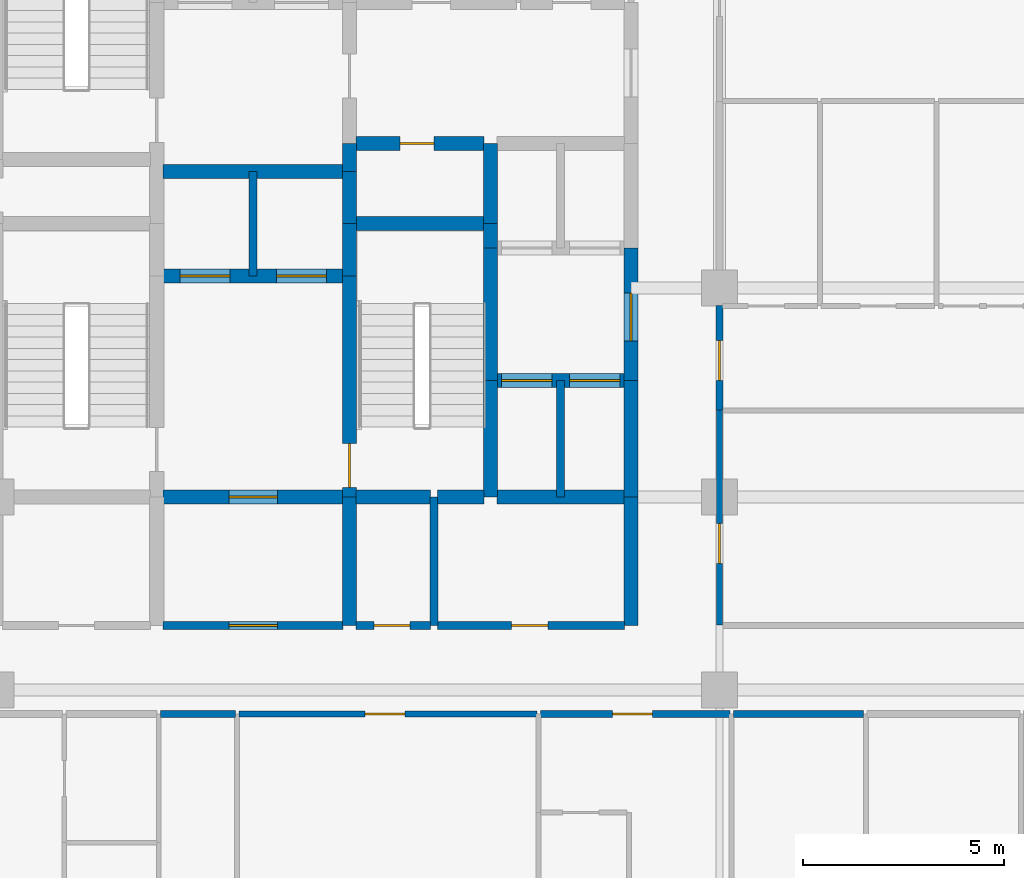
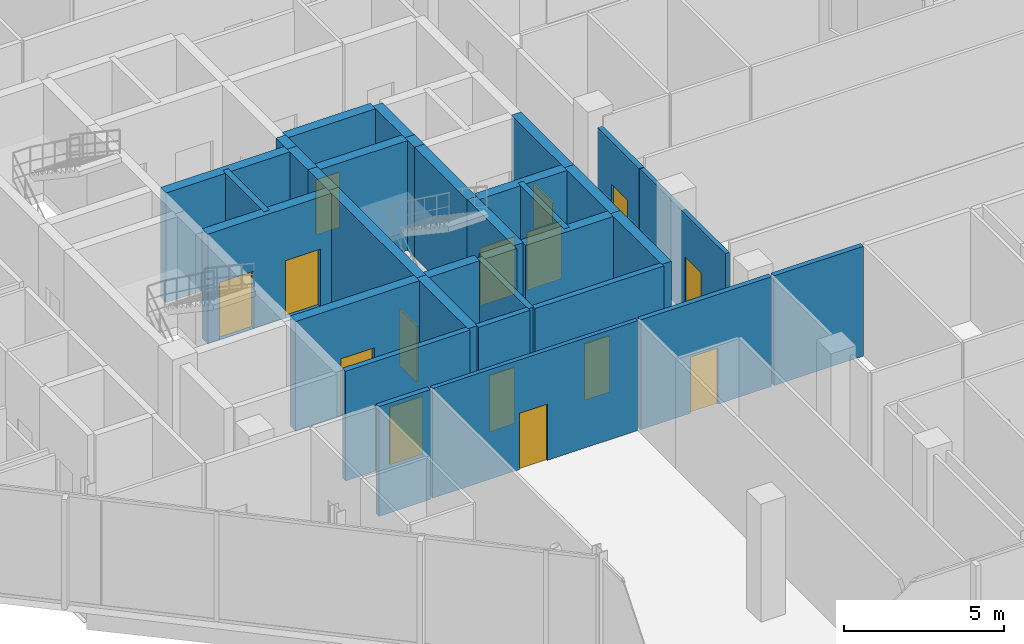
# One storey, part 22 of 28: 33 walls, 15 doors, 15 openings.
"""IFC4 building model written with IfcOpenShell, lengths in metres."""

from ifc_helpers import new_model, si_unit, direction, frame, frame_2d, origin, place, context, subcontext, project, spatial, rectangle, extrude, material, layer, layer_set, type_object, element, fill, save


model = new_model("IFC4")

# Units and contexts
model_context = context("Model", 3, precision=1e-05, world=origin(), true_north=direction((0.0, 1.0)))
body_context = subcontext(model_context, "Body", "Model", "MODEL_VIEW")
ifc_project = project(units=[si_unit("LENGTHUNIT", "METRE"), si_unit("AREAUNIT", "SQUARE_METRE"), si_unit("VOLUMEUNIT", "CUBIC_METRE"), si_unit("PLANEANGLEUNIT", "RADIAN"), si_unit("MASSUNIT", "GRAM", prefix="KILO")], contexts=[model_context])

# Site, building, storey
site_placement = place(None, origin())
site = spatial("IfcSite", under=ifc_project, at=site_placement, CompositionType="ELEMENT")
building_placement = place(site_placement, origin())
building = spatial("IfcBuilding", under=site, at=building_placement, Name="Keshet Zoharim Tower", CompositionType="ELEMENT")
storey_placement = place(building_placement, frame((0.0, 0.0, 164.60009765625)))
storey = spatial("IfcBuildingStorey", under=building, at=storey_placement, Name="L40", CompositionType="ELEMENT", Elevation=164.60009765625)

# Wall, opening, door
ifc_material_1 = material(Name="Gypsum Plasterboard", Category="gypsum")
ifc_layer_1 = layer(ifc_material_1, 0.14990234375)
ifc_layer_set_1 = layer_set([ifc_layer_1], Name="Gypsum Plasterboard")
wall_type_1 = type_object("IfcWallType", Name="WL-CLIN-150", PredefinedType="STANDARD", material=ifc_layer_set_1)
wall_1_placement = place(storey_placement, frame((33.0, 19.510009765625, 0.0), z_axis=(0.0, 0.0, 1.0), x_axis=(0.0, 1.0, 0.0)))
wall_1 = element("IfcWall", 1, at=wall_1_placement, inside=storey, type_object=wall_type_1, Name="L40 Interior Wall 069", PredefinedType="STANDARD", context=body_context, shape_type="SweptSolid", body=[
    extrude(rectangle(XDim=5.35009765625, YDim=0.14990234375, at=frame_2d((2.675048828125, 0.0))), origin(), (0.0, 0.0, 1.0), 3.789794921875),
])
opening_1_placement = place(wall_1_placement, frame((1.533935546875, 0.0, 0.0)))
opening_1 = element("IfcOpeningElement", 2, at=opening_1_placement, cuts=wall_1, Name="Opening D-F310", PredefinedType="OPENING", context=body_context, shape_type="SweptSolid", body=[
    extrude(rectangle(XDim=1.0, YDim=2.14990234375, at=frame_2d((0.5, 1.074951171875))), frame((0.0, 0.0849609375, 0.0), z_axis=(0.0, -1.0, 0.0), x_axis=(1.0, 0.0, 0.0)), (0.0, 0.0, 1.0), 0.169921875),
])
ifc_material_2 = material(Name="Hardwood Timber", Category="wood")
door_type_1 = type_object("IfcDoorType", Name="DR-FD30-100", OperationType="NOTDEFINED", PredefinedType="DOOR", material=ifc_material_2)
door_1_placement = place(opening_1_placement, origin())
door_1 = element("IfcDoor", 3, at=door_1_placement, inside=storey, type_object=door_type_1, Name="L40 South East Residents Services Suite Door 2", OperationType="SINGLE_SWING_LEFT", OverallHeight=2.14990234375, OverallWidth=1.0, PredefinedType="DOOR", context=body_context, shape_type="SweptSolid", body=[
    extrude(rectangle(XDim=1.0, YDim=2.14990234375, at=frame_2d((0.5, 1.074951171875))), frame((0.0, 0.02490234375, 0.0), z_axis=(0.0, -1.0, 0.0), x_axis=(1.0, 0.0, 0.0)), (0.0, 0.0, 1.0), 0.050048828125),
])
fill(opening_1, door_1)

wall_2_placement = place(storey_placement, frame((21.044921875, 17.300048828125, 0.0), z_axis=(0.0, 0.0, 1.0), x_axis=(1.0, 0.0, 0.0)))
wall_2 = element("IfcWall", 4, at=wall_2_placement, inside=storey, type_object=wall_type_1, Name="L40 Interior Wall 120", PredefinedType="STANDARD", context=body_context, shape_type="SweptSolid", body=[
    extrude(rectangle(XDim=7.41015625, YDim=0.14990234375, at=frame_2d((3.705078125, 0.0))), origin(), (0.0, 0.0, 1.0), 4.18994140625),
])
opening_2_placement = place(wall_2_placement, frame((3.135009765625, 0.0, 0.0)))
opening_2 = element("IfcOpeningElement", 5, at=opening_2_placement, cuts=wall_2, Name="Opening D-F310", PredefinedType="OPENING", context=body_context, shape_type="SweptSolid", body=[
    extrude(rectangle(XDim=1.0, YDim=2.14990234375, at=frame_2d((0.5, 1.074951171875))), frame((0.0, 0.0849609375, 0.0), z_axis=(0.0, -1.0, 0.0), x_axis=(1.0, 0.0, 0.0)), (0.0, 0.0, 1.0), 0.169921875),
])
door_2_placement = place(opening_2_placement, origin())
door_2 = element("IfcDoor", 6, at=door_2_placement, inside=storey, type_object=door_type_1, Name="L40 Sky Residents Salon Door", OperationType="SINGLE_SWING_LEFT", OverallHeight=2.14990234375, OverallWidth=1.0, PredefinedType="DOOR", context=body_context, shape_type="SweptSolid", body=[
    extrude(rectangle(XDim=1.0, YDim=2.14990234375, at=frame_2d((0.5, 1.074951171875))), frame((0.0, 0.02490234375, 0.0), z_axis=(0.0, -1.0, 0.0), x_axis=(1.0, 0.0, 0.0)), (0.0, 0.0, 1.0), 0.050048828125),
])
fill(opening_2, door_2)

# Wall
ifc_material_3 = material(Name="Concrete C60/75", Category="concrete")
ifc_layer_2 = layer(ifc_material_3, 0.35009765625)
ifc_layer_set_2 = layer_set([ifc_layer_2], Name="Concrete C60/75")
wall_type_2 = type_object("IfcWallType", Name="WL-CORE-350", PredefinedType="SHEAR", material=ifc_layer_set_2)
wall_3_placement = place(storey_placement, frame((23.800048828125, 19.5, 0.0), z_axis=(0.0, 0.0, 1.0), x_axis=(0.0, 1.0, 0.0)))
element("IfcWall", 7, at=wall_3_placement, inside=storey, type_object=wall_type_2, Name="L40 Core Shear Wall 037", PredefinedType="SHEAR", context=body_context, shape_type="SweptSolid", body=[
    extrude(rectangle(XDim=3.199951171875, YDim=0.35009765625, at=frame_2d((1.60009765625, 0.0))), origin(), (0.0, 0.0, 1.0), 4.18994140625),
])

# Wall, opening, door
wall_4_placement = place(storey_placement, frame((23.800048828125, 22.699951171875, 0.0), z_axis=(0.0, 0.0, 1.0), x_axis=(0.0, 1.0, 0.0)))
wall_4 = element("IfcWall", 8, at=wall_4_placement, inside=storey, type_object=wall_type_2, Name="L40 Core Shear Wall 038", PredefinedType="SHEAR", context=body_context, shape_type="SweptSolid", body=[
    extrude(rectangle(XDim=5.5, YDim=0.35009765625, at=frame_2d((2.75, 0.0))), origin(), (0.0, 0.0, 1.0), 4.18994140625),
])
opening_3_placement = place(wall_4_placement, frame((0.235107421875, 0.0, 0.0)))
opening_3 = element("IfcOpeningElement", 9, at=opening_3_placement, cuts=wall_4, Name="Opening D-F611", PredefinedType="OPENING", context=body_context, shape_type="SweptSolid", body=[
    extrude(rectangle(XDim=1.10009765625, YDim=2.14990234375, at=frame_2d((0.550048828125, 1.074951171875))), frame((0.0, 0.18505859375, 0.0), z_axis=(0.0, -1.0, 0.0), x_axis=(1.0, 0.0, 0.0)), (0.0, 0.0, 1.0), 0.3701171875),
])
door_type_2 = type_object("IfcDoorType", Name="DR-FD60-110", OperationType="NOTDEFINED", PredefinedType="DOOR", material=ifc_material_2)
door_3_placement = place(opening_3_placement, frame((1.10009765625, 0.0, 0.0), z_axis=(0.0, 0.0, 1.0), x_axis=(-1.0, 0.0, 0.0)))
door_3 = element("IfcDoor", 10, at=door_3_placement, inside=storey, type_object=door_type_2, Name="L40 Exit Stair ST-03 Fire Door", OperationType="SINGLE_SWING_LEFT", OverallHeight=2.14990234375, OverallWidth=1.10009765625, PredefinedType="DOOR", context=body_context, shape_type="SweptSolid", body=[
    extrude(rectangle(XDim=1.10009765625, YDim=2.14990234375, at=frame_2d((0.550048828125, 1.074951171875))), frame((0.0, 0.02490234375, 0.0), z_axis=(0.0, -1.0, 0.0), x_axis=(1.0, 0.0, 0.0)), (0.0, 0.0, 1.0), 0.050048828125),
])
fill(opening_3, door_3)

# Walls
for number, where, z_axis, x_axis, name in (
    (11, (23.800048828125, 28.199951171875, 0.0), (0.0, 0.0, 1.0), (0.0, 1.0, 0.0), "L40 Core Shear Wall 039"),
    (12, (23.800048828125, 29.5, 0.0), (0.0, 0.0, 1.0), (0.0, 1.0, 0.0), "L40 Core Shear Wall 040"),
):
    element("IfcWall", number, at=place(storey_placement, frame(where, z_axis=z_axis, x_axis=x_axis)), inside=storey, type_object=wall_type_2, Name=name, PredefinedType="SHEAR", context=body_context, shape_type="SweptSolid", body=[
        extrude(rectangle(XDim=1.300048828125, YDim=0.35009765625, at=frame_2d((0.64990234375, 0.0))), origin(), (0.0, 0.0, 1.0), 4.18994140625),
    ])
wall_5_placement = place(storey_placement, frame((23.800048828125, 30.800048828125, 0.0), z_axis=(0.0, 0.0, 1.0), x_axis=(0.0, 1.0, 0.0)))
element("IfcWall", 13, at=wall_5_placement, inside=storey, type_object=wall_type_2, Name="L40 Core Shear Wall 041", PredefinedType="SHEAR", context=body_context, shape_type="SweptSolid", body=[
    extrude(rectangle(XDim=0.699951171875, YDim=0.35009765625, at=frame_2d((0.35009765625, 0.0))), origin(), (0.0, 0.0, 1.0), 4.18994140625),
])
wall_6_placement = place(storey_placement, frame((27.300048828125, 22.699951171875, 0.0), z_axis=(0.0, 0.0, 1.0), x_axis=(0.0, 1.0, 0.0)))
element("IfcWall", 14, at=wall_6_placement, inside=storey, type_object=wall_type_2, Name="L40 Core Shear Wall 048", PredefinedType="SHEAR", context=body_context, shape_type="SweptSolid", body=[
    extrude(rectangle(XDim=2.900146484375, YDim=0.35009765625, at=frame_2d((1.4501953125, 0.0))), origin(), (0.0, 0.0, 1.0), 4.18994140625),
])
wall_7_placement = place(storey_placement, frame((27.300048828125, 25.60009765625, 0.0), z_axis=(0.0, 0.0, 1.0), x_axis=(0.0, 1.0, 0.0)))
element("IfcWall", 15, at=wall_7_placement, inside=storey, type_object=wall_type_2, Name="L40 Core Shear Wall 049", PredefinedType="SHEAR", context=body_context, shape_type="SweptSolid", body=[
    extrude(rectangle(XDim=3.2998046875, YDim=0.35009765625, at=frame_2d((1.64990234375, 0.0))), origin(), (0.0, 0.0, 1.0), 4.18994140625),
])
wall_8_placement = place(storey_placement, frame((27.300048828125, 28.89990234375, 0.0), z_axis=(0.0, 0.0, 1.0), x_axis=(0.0, 1.0, 0.0)))
element("IfcWall", 16, at=wall_8_placement, inside=storey, type_object=wall_type_2, Name="L40 Core Shear Wall 050", PredefinedType="SHEAR", context=body_context, shape_type="SweptSolid", body=[
    extrude(rectangle(XDim=0.60009765625, YDim=0.35009765625, at=frame_2d((0.300048828125, 0.0))), origin(), (0.0, 0.0, 1.0), 4.18994140625),
])
wall_9_placement = place(storey_placement, frame((27.300048828125, 29.5, 0.0), z_axis=(0.0, 0.0, 1.0), x_axis=(0.0, 1.0, 0.0)))
element("IfcWall", 17, at=wall_9_placement, inside=storey, type_object=wall_type_2, Name="L40 Core Shear Wall 051", PredefinedType="SHEAR", context=body_context, shape_type="SweptSolid", body=[
    extrude(rectangle(XDim=2.0, YDim=0.35009765625, at=frame_2d((1.0, 0.0))), origin(), (0.0, 0.0, 1.0), 4.18994140625),
])
wall_10_placement = place(storey_placement, frame((30.800048828125, 19.5, 0.0), z_axis=(0.0, 0.0, 1.0), x_axis=(0.0, 1.0, 0.0)))
element("IfcWall", 18, at=wall_10_placement, inside=storey, type_object=wall_type_2, Name="L40 Core Shear Wall 061", PredefinedType="SHEAR", context=body_context, shape_type="SweptSolid", body=[
    extrude(rectangle(XDim=3.199951171875, YDim=0.35009765625, at=frame_2d((1.60009765625, 0.0))), origin(), (0.0, 0.0, 1.0), 4.18994140625),
])
wall_11_placement = place(storey_placement, frame((30.800048828125, 22.699951171875, 0.0), z_axis=(0.0, 0.0, 1.0), x_axis=(0.0, 1.0, 0.0)))
element("IfcWall", 19, at=wall_11_placement, inside=storey, type_object=wall_type_2, Name="L40 Core Shear Wall 062", PredefinedType="SHEAR", context=body_context, shape_type="SweptSolid", body=[
    extrude(rectangle(XDim=2.900146484375, YDim=0.35009765625, at=frame_2d((1.4501953125, 0.0))), origin(), (0.0, 0.0, 1.0), 4.18994140625),
])

# Wall, opening, door
wall_12_placement = place(storey_placement, frame((30.800048828125, 25.60009765625, 0.0), z_axis=(0.0, 0.0, 1.0), x_axis=(0.0, 1.0, 0.0)))
wall_12 = element("IfcWall", 20, at=wall_12_placement, inside=storey, type_object=wall_type_2, Name="L40 Core Shear Wall 063", PredefinedType="SHEAR", context=body_context, shape_type="SweptSolid", body=[
    extrude(rectangle(XDim=3.2998046875, YDim=0.35009765625, at=frame_2d((1.64990234375, 0.0))), origin(), (0.0, 0.0, 1.0), 4.18994140625),
])
opening_4_placement = place(wall_12_placement, frame((0.97802734375, 0.0, 0.0)))
opening_4 = element("IfcOpeningElement", 21, at=opening_4_placement, cuts=wall_12, Name="Opening D-F612", PredefinedType="OPENING", context=body_context, shape_type="SweptSolid", body=[
    extrude(rectangle(XDim=1.199951171875, YDim=2.199951171875, at=frame_2d((0.60009765625, 1.10009765625))), frame((0.0, 0.18505859375, 0.0), z_axis=(0.0, -1.0, 0.0), x_axis=(1.0, 0.0, 0.0)), (0.0, 0.0, 1.0), 0.3701171875),
])
door_type_3 = type_object("IfcDoorType", Name="DR-FD60-120", OperationType="NOTDEFINED", PredefinedType="DOOR", material=ifc_material_2)
door_4_placement = place(opening_4_placement, origin())
door_4 = element("IfcDoor", 22, at=door_4_placement, inside=storey, type_object=door_type_3, Name="L40 East Lift Lobby Fire Door", OperationType="SINGLE_SWING_LEFT", OverallHeight=2.199951171875, OverallWidth=1.199951171875, PredefinedType="DOOR", context=body_context, shape_type="SweptSolid", body=[
    extrude(rectangle(XDim=1.199951171875, YDim=2.199951171875, at=frame_2d((0.60009765625, 1.10009765625))), frame((0.0, 0.02490234375, 0.0), z_axis=(0.0, -1.0, 0.0), x_axis=(1.0, 0.0, 0.0)), (0.0, 0.0, 1.0), 0.050048828125),
])
fill(opening_4, door_4)

wall_13_placement = place(storey_placement, frame((19.159912109375, 22.699951171875, 0.0), z_axis=(0.0, 0.0, 1.0), x_axis=(1.0, 0.0, 0.0)))
wall_13 = element("IfcWall", 23, at=wall_13_placement, inside=storey, type_object=wall_type_2, Name="L40 Core Shear Wall 139", PredefinedType="SHEAR", context=body_context, shape_type="SweptSolid", body=[
    extrude(rectangle(XDim=4.47998046875, YDim=0.35009765625, at=frame_2d((2.239990234375, 0.0))), origin(), (0.0, 0.0, 1.0), 4.18994140625),
])
opening_5_placement = place(wall_13_placement, frame((1.639892578125, 0.0, 0.0)))
opening_5 = element("IfcOpeningElement", 24, at=opening_5_placement, cuts=wall_13, Name="Opening D-F612", PredefinedType="OPENING", context=body_context, shape_type="SweptSolid", body=[
    extrude(rectangle(XDim=1.199951171875, YDim=2.199951171875, at=frame_2d((0.60009765625, 1.10009765625))), frame((0.0, 0.18505859375, 0.0), z_axis=(0.0, -1.0, 0.0), x_axis=(1.0, 0.0, 0.0)), (0.0, 0.0, 1.0), 0.3701171875),
])
door_5_placement = place(opening_5_placement, origin())
door_5 = element("IfcDoor", 25, at=door_5_placement, inside=storey, type_object=door_type_3, Name="L40 South Core Lobby Fire Door", OperationType="SINGLE_SWING_LEFT", OverallHeight=2.199951171875, OverallWidth=1.199951171875, PredefinedType="DOOR", context=body_context, shape_type="SweptSolid", body=[
    extrude(rectangle(XDim=1.199951171875, YDim=2.199951171875, at=frame_2d((0.60009765625, 1.10009765625))), frame((0.0, 0.02490234375, 0.0), z_axis=(0.0, -1.0, 0.0), x_axis=(1.0, 0.0, 0.0)), (0.0, 0.0, 1.0), 0.050048828125),
])
fill(opening_5, door_5)

# Walls
wall_14_placement = place(storey_placement, frame((23.9599609375, 22.699951171875, 0.0), z_axis=(0.0, 0.0, 1.0), x_axis=(1.0, 0.0, 0.0)))
element("IfcWall", 26, at=wall_14_placement, inside=storey, type_object=wall_type_2, Name="L40 Core Shear Wall 140", PredefinedType="SHEAR", context=body_context, shape_type="SweptSolid", body=[
    extrude(rectangle(XDim=1.85498046875, YDim=0.35009765625, at=frame_2d((0.927490234375, 0.0))), origin(), (0.0, 0.0, 1.0), 4.18994140625),
])
wall_15_placement = place(storey_placement, frame((25.985107421875, 22.699951171875, 0.0), z_axis=(0.0, 0.0, 1.0), x_axis=(1.0, 0.0, 0.0)))
element("IfcWall", 27, at=wall_15_placement, inside=storey, type_object=wall_type_2, Name="L40 Core Shear Wall 141", PredefinedType="SHEAR", context=body_context, shape_type="SweptSolid", body=[
    extrude(rectangle(XDim=1.15478515625, YDim=0.35009765625, at=frame_2d((0.577392578125, 0.0))), origin(), (0.0, 0.0, 1.0), 4.18994140625),
])
wall_16_placement = place(storey_placement, frame((27.4599609375, 22.699951171875, 0.0), z_axis=(0.0, 0.0, 1.0), x_axis=(1.0, 0.0, 0.0)))
element("IfcWall", 28, at=wall_16_placement, inside=storey, type_object=wall_type_2, Name="L40 Core Shear Wall 142", PredefinedType="SHEAR", context=body_context, shape_type="SweptSolid", body=[
    extrude(rectangle(XDim=3.179931640625, YDim=0.35009765625, at=frame_2d((1.58984375, 0.0))), origin(), (0.0, 0.0, 1.0), 4.18994140625),
])

# Wall, openings, doors
wall_17_placement = place(storey_placement, frame((27.4599609375, 25.60009765625, 0.0), z_axis=(0.0, 0.0, 1.0), x_axis=(1.0, 0.0, 0.0)))
wall_17 = element("IfcWall", 29, at=wall_17_placement, inside=storey, type_object=wall_type_2, Name="L40 Core Shear Wall 146", PredefinedType="SHEAR", context=body_context, shape_type="SweptSolid", body=[
    extrude(rectangle(XDim=3.179931640625, YDim=0.35009765625, at=frame_2d((1.58984375, 0.0))), origin(), (0.0, 0.0, 1.0), 4.18994140625),
])
opening_6_placement = place(wall_17_placement, frame((0.1201171875, 0.0, 0.0)))
opening_6 = element("IfcOpeningElement", 30, at=opening_6_placement, cuts=wall_17, Name="Opening LD-01", PredefinedType="OPENING", context=body_context, shape_type="SweptSolid", body=[
    extrude(rectangle(XDim=1.25, YDim=2.199951171875, at=frame_2d((0.625, 1.10009765625))), frame((0.0, 0.18505859375, 0.0), z_axis=(0.0, -1.0, 0.0), x_axis=(1.0, 0.0, 0.0)), (0.0, 0.0, 1.0), 0.3701171875),
])
opening_7_placement = place(wall_17_placement, frame((1.81005859375, 0.0, 0.0)))
opening_7 = element("IfcOpeningElement", 31, at=opening_7_placement, cuts=wall_17, Name="Opening LD-01", PredefinedType="OPENING", context=body_context, shape_type="SweptSolid", body=[
    extrude(rectangle(XDim=1.25, YDim=2.199951171875, at=frame_2d((0.625, 1.10009765625))), frame((0.0, 0.18505859375, 0.0), z_axis=(0.0, -1.0, 0.0), x_axis=(1.0, 0.0, 0.0)), (0.0, 0.0, 1.0), 0.3701171875),
])
ifc_material_4 = material(Name="Steel S355", Category="steel")
door_type_4 = type_object("IfcDoorType", Name="DR-LD01-125", OperationType="DOUBLE_DOOR_SLIDING", PredefinedType="DOOR", material=ifc_material_4)
door_6_placement = place(opening_6_placement, origin())
door_6 = element("IfcDoor", 32, at=door_6_placement, inside=storey, type_object=door_type_4, Name="L40 Passenger Lift Landing Door LF-07", OperationType="DOUBLE_DOOR_SLIDING", OverallHeight=2.199951171875, OverallWidth=1.25, PredefinedType="DOOR", context=body_context, shape_type="SweptSolid", body=[
    extrude(rectangle(XDim=1.25, YDim=2.199951171875, at=frame_2d((0.625, 1.10009765625))), frame((0.0, 0.02490234375, 0.0), z_axis=(0.0, -1.0, 0.0), x_axis=(1.0, 0.0, 0.0)), (0.0, 0.0, 1.0), 0.050048828125),
])
fill(opening_6, door_6)
door_7_placement = place(opening_7_placement, origin())
door_7 = element("IfcDoor", 33, at=door_7_placement, inside=storey, type_object=door_type_4, Name="L40 Passenger Lift Landing Door LF-08", OperationType="DOUBLE_DOOR_SLIDING", OverallHeight=2.199951171875, OverallWidth=1.25, PredefinedType="DOOR", context=body_context, shape_type="SweptSolid", body=[
    extrude(rectangle(XDim=1.25, YDim=2.199951171875, at=frame_2d((0.625, 1.10009765625))), frame((0.0, 0.02490234375, 0.0), z_axis=(0.0, -1.0, 0.0), x_axis=(1.0, 0.0, 0.0)), (0.0, 0.0, 1.0), 0.050048828125),
])
fill(opening_7, door_7)

wall_18_placement = place(storey_placement, frame((19.159912109375, 28.199951171875, 0.0), z_axis=(0.0, 0.0, 1.0), x_axis=(1.0, 0.0, 0.0)))
wall_18 = element("IfcWall", 34, at=wall_18_placement, inside=storey, type_object=wall_type_2, Name="L40 Core Shear Wall 152", PredefinedType="SHEAR", context=body_context, shape_type="SweptSolid", body=[
    extrude(rectangle(XDim=4.47998046875, YDim=0.35009765625, at=frame_2d((2.239990234375, 0.0))), origin(), (0.0, 0.0, 1.0), 4.18994140625),
])
opening_8_placement = place(wall_18_placement, frame((0.4150390625, 0.0, 0.0)))
opening_8 = element("IfcOpeningElement", 35, at=opening_8_placement, cuts=wall_18, Name="Opening LD-01", PredefinedType="OPENING", context=body_context, shape_type="SweptSolid", body=[
    extrude(rectangle(XDim=1.25, YDim=2.199951171875, at=frame_2d((0.625, 1.10009765625))), frame((0.0, 0.18505859375, 0.0), z_axis=(0.0, -1.0, 0.0), x_axis=(1.0, 0.0, 0.0)), (0.0, 0.0, 1.0), 0.3701171875),
])
opening_9_placement = place(wall_18_placement, frame((2.81494140625, 0.0, 0.0)))
opening_9 = element("IfcOpeningElement", 36, at=opening_9_placement, cuts=wall_18, Name="Opening LD-01", PredefinedType="OPENING", context=body_context, shape_type="SweptSolid", body=[
    extrude(rectangle(XDim=1.25, YDim=2.199951171875, at=frame_2d((0.625, 1.10009765625))), frame((0.0, 0.18505859375, 0.0), z_axis=(0.0, -1.0, 0.0), x_axis=(1.0, 0.0, 0.0)), (0.0, 0.0, 1.0), 0.3701171875),
])
door_8_placement = place(opening_8_placement, origin())
door_8 = element("IfcDoor", 37, at=door_8_placement, inside=storey, type_object=door_type_4, Name="L40 Passenger Lift Landing Door LF-09", OperationType="DOUBLE_DOOR_SLIDING", OverallHeight=2.199951171875, OverallWidth=1.25, PredefinedType="DOOR", context=body_context, shape_type="SweptSolid", body=[
    extrude(rectangle(XDim=1.25, YDim=2.199951171875, at=frame_2d((0.625, 1.10009765625))), frame((0.0, 0.02490234375, 0.0), z_axis=(0.0, -1.0, 0.0), x_axis=(1.0, 0.0, 0.0)), (0.0, 0.0, 1.0), 0.050048828125),
])
fill(opening_8, door_8)
door_9_placement = place(opening_9_placement, origin())
door_9 = element("IfcDoor", 38, at=door_9_placement, inside=storey, type_object=door_type_4, Name="L40 Passenger Lift Landing Door LF-10", OperationType="DOUBLE_DOOR_SLIDING", OverallHeight=2.199951171875, OverallWidth=1.25, PredefinedType="DOOR", context=body_context, shape_type="SweptSolid", body=[
    extrude(rectangle(XDim=1.25, YDim=2.199951171875, at=frame_2d((0.625, 1.10009765625))), frame((0.0, 0.02490234375, 0.0), z_axis=(0.0, -1.0, 0.0), x_axis=(1.0, 0.0, 0.0)), (0.0, 0.0, 1.0), 0.050048828125),
])
fill(opening_9, door_9)

# Walls
wall_19_placement = place(storey_placement, frame((23.9599609375, 29.5, 0.0), z_axis=(0.0, 0.0, 1.0), x_axis=(1.0, 0.0, 0.0)))
element("IfcWall", 39, at=wall_19_placement, inside=storey, type_object=wall_type_2, Name="L40 Core Shear Wall 159", PredefinedType="SHEAR", context=body_context, shape_type="SweptSolid", body=[
    extrude(rectangle(XDim=3.179931640625, YDim=0.35009765625, at=frame_2d((1.58984375, 0.0))), origin(), (0.0, 0.0, 1.0), 4.18994140625),
])
wall_20_placement = place(storey_placement, frame((19.159912109375, 30.800048828125, 0.0), z_axis=(0.0, 0.0, 1.0), x_axis=(1.0, 0.0, 0.0)))
element("IfcWall", 40, at=wall_20_placement, inside=storey, type_object=wall_type_2, Name="L40 Core Shear Wall 160", PredefinedType="SHEAR", context=body_context, shape_type="SweptSolid", body=[
    extrude(rectangle(XDim=4.47998046875, YDim=0.35009765625, at=frame_2d((2.239990234375, 0.0))), origin(), (0.0, 0.0, 1.0), 4.18994140625),
])

# Wall, opening, door
wall_21_placement = place(storey_placement, frame((23.9599609375, 31.5, 0.0), z_axis=(0.0, 0.0, 1.0), x_axis=(1.0, 0.0, 0.0)))
wall_21 = element("IfcWall", 41, at=wall_21_placement, inside=storey, type_object=wall_type_2, Name="L40 Core Shear Wall 164", PredefinedType="SHEAR", context=body_context, shape_type="SweptSolid", body=[
    extrude(rectangle(XDim=3.179931640625, YDim=0.35009765625, at=frame_2d((1.58984375, 0.0))), origin(), (0.0, 0.0, 1.0), 4.18994140625),
])
opening_10_placement = place(wall_21_placement, frame((1.093994140625, 0.0, 0.0)))
opening_10 = element("IfcOpeningElement", 42, at=opening_10_placement, cuts=wall_21, Name="Opening D-RS85", PredefinedType="OPENING", context=body_context, shape_type="SweptSolid", body=[
    extrude(rectangle(XDim=0.85009765625, YDim=2.10009765625, at=frame_2d((0.425048828125, 1.050048828125))), frame((0.0, 0.18505859375, 0.0), z_axis=(0.0, -1.0, 0.0), x_axis=(1.0, 0.0, 0.0)), (0.0, 0.0, 1.0), 0.3701171875),
])
door_type_5 = type_object("IfcDoorType", Name="DR-RIS-085", OperationType="NOTDEFINED", PredefinedType="DOOR", material=ifc_material_2)
door_10_placement = place(opening_10_placement, origin())
door_10 = element("IfcDoor", 43, at=door_10_placement, inside=storey, type_object=door_type_5, Name="L40 Telecom Riser Access Cupboard Door", OperationType="SINGLE_SWING_LEFT", OverallHeight=2.10009765625, OverallWidth=0.85009765625, PredefinedType="DOOR", context=body_context, shape_type="SweptSolid", body=[
    extrude(rectangle(XDim=0.85009765625, YDim=2.10009765625, at=frame_2d((0.425048828125, 1.050048828125))), frame((0.0, 0.02490234375, 0.0), z_axis=(0.0, -1.0, 0.0), x_axis=(1.0, 0.0, 0.0)), (0.0, 0.0, 1.0), 0.050048828125),
])
fill(opening_10, door_10)

ifc_layer_3 = layer(ifc_material_1, 0.179931640625)
ifc_layer_set_3 = layer_set([ifc_layer_3], Name="Gypsum Plasterboard")
wall_type_3 = type_object("IfcWallType", Name="WL-CORR-180", PredefinedType="STANDARD", material=ifc_layer_set_3)
wall_22_placement = place(storey_placement, frame((33.0, 24.8701171875, 0.0), z_axis=(0.0, 0.0, 1.0), x_axis=(0.0, 1.0, 0.0)))
wall_22 = element("IfcWall", 44, at=wall_22_placement, inside=storey, type_object=wall_type_3, Name="L40 Interior Wall 070", PredefinedType="STANDARD", context=body_context, shape_type="SweptSolid", body=[
    extrude(rectangle(XDim=2.599853515625, YDim=0.179931640625, at=frame_2d((1.2998046875, 0.0))), origin(), (0.0, 0.0, 1.0), 3.789794921875),
])
opening_11_placement = place(wall_22_placement, frame((0.722900390625, 0.0, 0.0)))
opening_11 = element("IfcOpeningElement", 45, at=opening_11_placement, cuts=wall_22, Name="Opening D-F310", PredefinedType="OPENING", context=body_context, shape_type="SweptSolid", body=[
    extrude(rectangle(XDim=1.0, YDim=2.14990234375, at=frame_2d((0.5, 1.074951171875))), frame((0.0, 0.10009765625, 0.0), z_axis=(0.0, -1.0, 0.0), x_axis=(1.0, 0.0, 0.0)), (0.0, 0.0, 1.0), 0.199951171875),
])
door_11_placement = place(opening_11_placement, origin())
door_11 = element("IfcDoor", 46, at=door_11_placement, inside=storey, type_object=door_type_1, Name="Apartment 4008 Entrance Door", OperationType="SINGLE_SWING_RIGHT", OverallHeight=2.14990234375, OverallWidth=1.0, PredefinedType="DOOR", context=body_context, shape_type="SweptSolid", body=[
    extrude(rectangle(XDim=1.0, YDim=2.14990234375, at=frame_2d((0.5, 1.074951171875))), frame((0.0, 0.02490234375, 0.0), z_axis=(0.0, -1.0, 0.0), x_axis=(1.0, 0.0, 0.0)), (0.0, 0.0, 1.0), 0.050048828125),
])
fill(opening_11, door_11)

# Wall
wall_23_placement = place(storey_placement, frame((19.094970703125, 17.300048828125, 0.0), z_axis=(0.0, 0.0, 1.0), x_axis=(1.0, 0.0, 0.0)))
element("IfcWall", 47, at=wall_23_placement, inside=storey, type_object=wall_type_3, Name="L40 Interior Wall 119", PredefinedType="STANDARD", context=body_context, shape_type="SweptSolid", body=[
    extrude(rectangle(XDim=1.860107421875, YDim=0.179931640625, at=frame_2d((0.93017578125, 0.0))), origin(), (0.0, 0.0, 1.0), 4.18994140625),
])

# Wall, opening, door
wall_24_placement = place(storey_placement, frame((28.544921875, 17.300048828125, 0.0), z_axis=(0.0, 0.0, 1.0), x_axis=(1.0, 0.0, 0.0)))
wall_24 = element("IfcWall", 48, at=wall_24_placement, inside=storey, type_object=wall_type_3, Name="L40 Interior Wall 121", PredefinedType="STANDARD", context=body_context, shape_type="SweptSolid", body=[
    extrude(rectangle(XDim=4.719970703125, YDim=0.179931640625, at=frame_2d((2.35986328125, 0.0))), origin(), (0.0, 0.0, 1.0), 4.18994140625),
])
opening_12_placement = place(wall_24_placement, frame((1.7880859375, 0.0, 0.0)))
opening_12 = element("IfcOpeningElement", 49, at=opening_12_placement, cuts=wall_24, Name="Opening D-F310", PredefinedType="OPENING", context=body_context, shape_type="SweptSolid", body=[
    extrude(rectangle(XDim=1.0, YDim=2.14990234375, at=frame_2d((0.5, 1.074951171875))), frame((0.0, 0.10009765625, 0.0), z_axis=(0.0, -1.0, 0.0), x_axis=(1.0, 0.0, 0.0)), (0.0, 0.0, 1.0), 0.199951171875),
])
door_12_placement = place(opening_12_placement, origin())
door_12 = element("IfcDoor", 50, at=door_12_placement, inside=storey, type_object=door_type_1, Name="Apartment 4002 Entrance Door", OperationType="SINGLE_SWING_RIGHT", OverallHeight=2.14990234375, OverallWidth=1.0, PredefinedType="DOOR", context=body_context, shape_type="SweptSolid", body=[
    extrude(rectangle(XDim=1.0, YDim=2.14990234375, at=frame_2d((0.5, 1.074951171875))), frame((0.0, 0.02490234375, 0.0), z_axis=(0.0, -1.0, 0.0), x_axis=(1.0, 0.0, 0.0)), (0.0, 0.0, 1.0), 0.050048828125),
])
fill(opening_12, door_12)

# Walls
wall_25_placement = place(storey_placement, frame((33.35498046875, 17.300048828125, 0.0), z_axis=(0.0, 0.0, 1.0), x_axis=(1.0, 0.0, 0.0)))
element("IfcWall", 51, at=wall_25_placement, inside=storey, type_object=wall_type_3, Name="L40 Interior Wall 122", PredefinedType="STANDARD", context=body_context, shape_type="SweptSolid", body=[
    extrude(rectangle(XDim=3.22705078125, YDim=0.179931640625, at=frame_2d((1.613525390625, 0.0))), origin(), (0.0, 0.0, 1.0), 4.18994140625),
])
ifc_material_5 = material(Name="Concrete C50/60", Category="concrete")
ifc_layer_4 = layer(ifc_material_5, 0.199951171875)
ifc_layer_set_4 = layer_set([ifc_layer_4], Name="Concrete C50/60")
wall_type_4 = type_object("IfcWallType", Name="WL-FIRE-200", PredefinedType="STANDARD", material=ifc_layer_set_4)
wall_26_placement = place(storey_placement, frame((21.39990234375, 28.199951171875, 0.0), z_axis=(0.0, 0.0, 1.0), x_axis=(0.0, 1.0, 0.0)))
element("IfcWall", 52, at=wall_26_placement, inside=storey, type_object=wall_type_4, Name="L40 Interior Wall 034", PredefinedType="STANDARD", context=body_context, shape_type="SweptSolid", body=[
    extrude(rectangle(XDim=2.60009765625, YDim=0.199951171875, at=frame_2d((1.300048828125, 0.0))), origin(), (0.0, 0.0, 1.0), 4.18994140625),
])
wall_27_placement = place(storey_placement, frame((25.89990234375, 19.5, 0.0), z_axis=(0.0, 0.0, 1.0), x_axis=(0.0, 1.0, 0.0)))
element("IfcWall", 53, at=wall_27_placement, inside=storey, type_object=wall_type_4, Name="L40 Interior Wall 046", PredefinedType="STANDARD", context=body_context, shape_type="SweptSolid", body=[
    extrude(rectangle(XDim=3.199951171875, YDim=0.199951171875, at=frame_2d((1.60009765625, 0.0))), origin(), (0.0, 0.0, 1.0), 4.18994140625),
])
wall_28_placement = place(storey_placement, frame((29.050048828125, 22.699951171875, 0.0), z_axis=(0.0, 0.0, 1.0), x_axis=(0.0, 1.0, 0.0)))
element("IfcWall", 54, at=wall_28_placement, inside=storey, type_object=wall_type_4, Name="L40 Interior Wall 055", PredefinedType="STANDARD", context=body_context, shape_type="SweptSolid", body=[
    extrude(rectangle(XDim=2.900146484375, YDim=0.199951171875, at=frame_2d((1.4501953125, 0.0))), origin(), (0.0, 0.0, 1.0), 4.18994140625),
])

# Wall, opening, door
wall_29_placement = place(storey_placement, frame((19.159912109375, 19.5, 0.0), z_axis=(0.0, 0.0, 1.0), x_axis=(1.0, 0.0, 0.0)))
wall_29 = element("IfcWall", 55, at=wall_29_placement, inside=storey, type_object=wall_type_4, Name="L40 Interior Wall 131", PredefinedType="STANDARD", context=body_context, shape_type="SweptSolid", body=[
    extrude(rectangle(XDim=4.47998046875, YDim=0.199951171875, at=frame_2d((2.239990234375, 0.0))), origin(), (0.0, 0.0, 1.0), 4.18994140625),
])
opening_13_placement = place(wall_29_placement, frame((1.639892578125, 0.0, 0.0)))
opening_13 = element("IfcOpeningElement", 56, at=opening_13_placement, cuts=wall_29, Name="Opening D-F612", PredefinedType="OPENING", context=body_context, shape_type="SweptSolid", body=[
    extrude(rectangle(XDim=1.199951171875, YDim=2.199951171875, at=frame_2d((0.60009765625, 1.10009765625))), frame((0.0, 0.10986328125, 0.0), z_axis=(0.0, -1.0, 0.0), x_axis=(1.0, 0.0, 0.0)), (0.0, 0.0, 1.0), 0.219970703125),
])
door_13_placement = place(opening_13_placement, origin())
door_13 = element("IfcDoor", 57, at=door_13_placement, inside=storey, type_object=door_type_3, Name="L40 South Vestibule Corridor Door", OperationType="SINGLE_SWING_LEFT", OverallHeight=2.199951171875, OverallWidth=1.199951171875, PredefinedType="DOOR", context=body_context, shape_type="SweptSolid", body=[
    extrude(rectangle(XDim=1.199951171875, YDim=2.199951171875, at=frame_2d((0.60009765625, 1.10009765625))), frame((0.0, 0.02490234375, 0.0), z_axis=(0.0, -1.0, 0.0), x_axis=(1.0, 0.0, 0.0)), (0.0, 0.0, 1.0), 0.050048828125),
])
fill(opening_13, door_13)

wall_30_placement = place(storey_placement, frame((23.9599609375, 19.5, 0.0), z_axis=(0.0, 0.0, 1.0), x_axis=(1.0, 0.0, 0.0)))
wall_30 = element("IfcWall", 58, at=wall_30_placement, inside=storey, type_object=wall_type_4, Name="L40 Interior Wall 132", PredefinedType="STANDARD", context=body_context, shape_type="SweptSolid", body=[
    extrude(rectangle(XDim=1.85498046875, YDim=0.199951171875, at=frame_2d((0.927490234375, 0.0))), origin(), (0.0, 0.0, 1.0), 4.18994140625),
])
opening_14_placement = place(wall_30_placement, frame((0.43994140625, 0.0, 0.0)))
opening_14 = element("IfcOpeningElement", 59, at=opening_14_placement, cuts=wall_30, Name="Opening D-F690", PredefinedType="OPENING", context=body_context, shape_type="SweptSolid", body=[
    extrude(rectangle(XDim=0.89990234375, YDim=2.14990234375, at=frame_2d((0.449951171875, 1.074951171875))), frame((0.0, 0.10986328125, 0.0), z_axis=(0.0, -1.0, 0.0), x_axis=(1.0, 0.0, 0.0)), (0.0, 0.0, 1.0), 0.219970703125),
])
door_type_6 = type_object("IfcDoorType", Name="DR-FD60-090", OperationType="NOTDEFINED", PredefinedType="DOOR", material=ifc_material_2)
door_14_placement = place(opening_14_placement, origin())
door_14 = element("IfcDoor", 60, at=door_14_placement, inside=storey, type_object=door_type_6, Name="L40 Cleaners Store Door", OperationType="SINGLE_SWING_RIGHT", OverallHeight=2.14990234375, OverallWidth=0.89990234375, PredefinedType="DOOR", context=body_context, shape_type="SweptSolid", body=[
    extrude(rectangle(XDim=0.89990234375, YDim=2.14990234375, at=frame_2d((0.449951171875, 1.074951171875))), frame((0.0, 0.02490234375, 0.0), z_axis=(0.0, -1.0, 0.0), x_axis=(1.0, 0.0, 0.0)), (0.0, 0.0, 1.0), 0.050048828125),
])
fill(opening_14, door_14)

wall_31_placement = place(storey_placement, frame((25.985107421875, 19.5, 0.0), z_axis=(0.0, 0.0, 1.0), x_axis=(1.0, 0.0, 0.0)))
wall_31 = element("IfcWall", 61, at=wall_31_placement, inside=storey, type_object=wall_type_4, Name="L40 Interior Wall 133", PredefinedType="STANDARD", context=body_context, shape_type="SweptSolid", body=[
    extrude(rectangle(XDim=4.65478515625, YDim=0.199951171875, at=frame_2d((2.327392578125, 0.0))), origin(), (0.0, 0.0, 1.0), 4.18994140625),
])
opening_15_placement = place(wall_31_placement, frame((1.844970703125, 0.0, 0.0)))
opening_15 = element("IfcOpeningElement", 62, at=opening_15_placement, cuts=wall_31, Name="Opening D-F690", PredefinedType="OPENING", context=body_context, shape_type="SweptSolid", body=[
    extrude(rectangle(XDim=0.89990234375, YDim=2.14990234375, at=frame_2d((0.449951171875, 1.074951171875))), frame((0.0, 0.10986328125, 0.0), z_axis=(0.0, -1.0, 0.0), x_axis=(1.0, 0.0, 0.0)), (0.0, 0.0, 1.0), 0.219970703125),
])
door_15_placement = place(opening_15_placement, origin())
door_15 = element("IfcDoor", 63, at=door_15_placement, inside=storey, type_object=door_type_6, Name="L40 Meter Room Door", OperationType="SINGLE_SWING_LEFT", OverallHeight=2.14990234375, OverallWidth=0.89990234375, PredefinedType="DOOR", context=body_context, shape_type="SweptSolid", body=[
    extrude(rectangle(XDim=0.89990234375, YDim=2.14990234375, at=frame_2d((0.449951171875, 1.074951171875))), frame((0.0, 0.02490234375, 0.0), z_axis=(0.0, -1.0, 0.0), x_axis=(1.0, 0.0, 0.0)), (0.0, 0.0, 1.0), 0.050048828125),
])
fill(opening_15, door_15)

save(model, "model.ifc")
